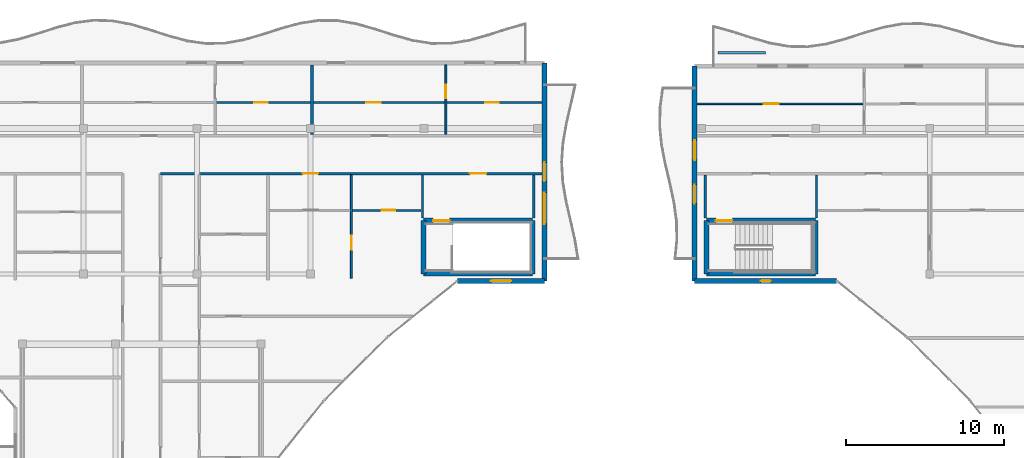
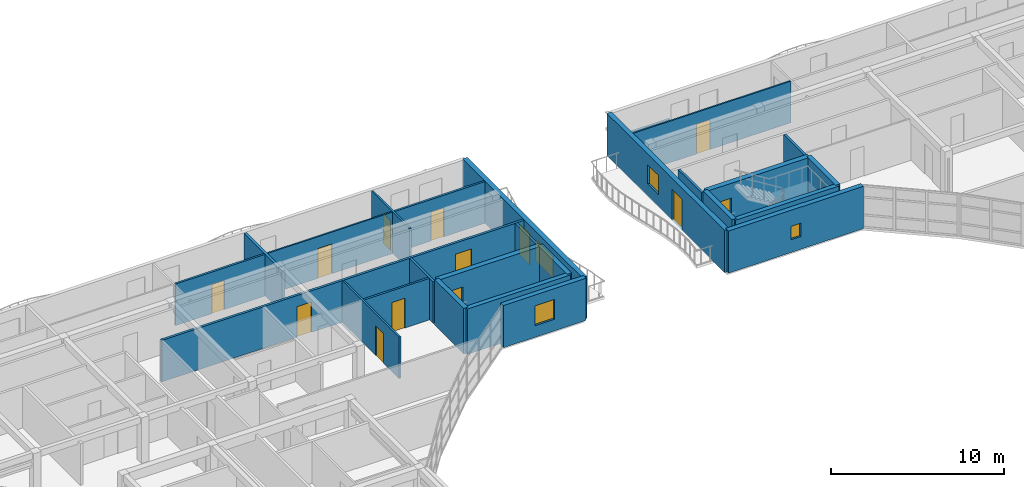
# One storey, part 18 of 30: 26 walls, 13 doors, 4 windows, 17 openings.
"""IFC4 building model written with IfcOpenShell, lengths in metres."""

from ifc_helpers import new_model, si_unit, direction, frame, frame_2d, origin, place, context, subcontext, project, spatial, rectangle, extrude, material, layer, layer_set, type_object, element, fill, save


model = new_model("IFC4")

# Units and contexts
model_context = context("Model", 3, precision=1e-05, world=origin(), true_north=direction((0.0, 1.0)))
body_context = subcontext(model_context, "Body", "Model", "MODEL_VIEW")
ifc_project = project(units=[si_unit("LENGTHUNIT", "METRE"), si_unit("AREAUNIT", "SQUARE_METRE"), si_unit("VOLUMEUNIT", "CUBIC_METRE"), si_unit("PLANEANGLEUNIT", "RADIAN"), si_unit("MASSUNIT", "GRAM", prefix="KILO")], contexts=[model_context])

# Site, building, storey
site_placement = place(None, origin())
site = spatial("IfcSite", under=ifc_project, at=site_placement, CompositionType="ELEMENT")
building_placement = place(site_placement, origin())
building = spatial("IfcBuilding", under=site, at=building_placement, Name="Keldmere Railside Commons", CompositionType="ELEMENT")
storey_placement = place(building_placement, frame((0.0, 0.0, 36.159912109375)))
storey = spatial("IfcBuildingStorey", under=building, at=storey_placement, Name="L11", CompositionType="ELEMENT", Elevation=36.159912109375)

# Wall
ifc_material_1 = material(Name="Acoustic Gypsum Board Partition", Category="gypsum")
ifc_layer_1 = layer(ifc_material_1, 0.179931640625, Name="Acoustic Demising Partition 180")
ifc_layer_set_1 = layer_set([ifc_layer_1], Name="Acoustic Gypsum Board Partition")
wall_type_1 = type_object("IfcWallType", Name="Acoustic Demising Partition 180", PredefinedType="PARTITIONING", material=ifc_layer_set_1)
wall_1_placement = place(storey_placement, frame((122.780029296875, 109.280029296875, 0.0), z_axis=(0.0, 0.0, 1.0), x_axis=(0.0, 1.0, 0.0)))
element("IfcWall", 1, at=wall_1_placement, inside=storey, type_object=wall_type_1, Name="IW-1 IW-L11-1383", PredefinedType="PARTITIONING", context=body_context, shape_type="SweptSolid", body=[
    extrude(rectangle(XDim=4.39990234375, YDim=0.179931640625, at=frame_2d((2.199951171875, 0.0))), origin(), (0.0, 0.0, 1.0), 2.93505859375),
])

# Wall, opening, door
ifc_layer_2 = layer(ifc_material_1, 0.1201171875, Name="Apartment Interior Partition 120")
ifc_layer_set_2 = layer_set([ifc_layer_2], Name="Acoustic Gypsum Board Partition")
wall_type_2 = type_object("IfcWallType", Name="Apartment Interior Partition 120", PredefinedType="PARTITIONING", material=ifc_layer_set_2)
wall_2_placement = place(storey_placement, frame((131.260009765625, 109.280029296875, 0.0), z_axis=(0.0, 0.0, 1.0), x_axis=(0.0, 1.0, 0.0)))
wall_2 = element("IfcWall", 2, at=wall_2_placement, inside=storey, type_object=wall_type_2, Name="IW-4 IW-L11-1390", PredefinedType="PARTITIONING", context=body_context, shape_type="SweptSolid", body=[
    extrude(rectangle(XDim=4.39990234375, YDim=0.1201171875, at=frame_2d((2.199951171875, 0.0))), origin(), (0.0, 0.0, 1.0), 2.93505859375),
])
opening_1_placement = place(wall_2_placement, frame((2.29638671875, 0.0, 0.0)))
opening_1 = element("IfcOpeningElement", 3, at=opening_1_placement, cuts=wall_2, Name="Opening ID-04", PredefinedType="OPENING", context=body_context, shape_type="SweptSolid", body=[
    extrude(rectangle(XDim=0.860107421875, YDim=2.10009765625, at=frame_2d((0.43017578125, 1.050048828125))), frame((0.0, 0.070068359375, 0.0), z_axis=(0.0, -1.0, 0.0), x_axis=(1.0, 0.0, 0.0)), (0.0, 0.0, 1.0), 0.14013671875),
])
ifc_material_2 = material(Name="Engineered Oak Timber", Category="wood")
door_type_1 = type_object("IfcDoorType", Name="Apartment Bathroom Door 860x2100", OperationType="NOTDEFINED", PredefinedType="DOOR", material=ifc_material_2)
door_1_placement = place(opening_1_placement, origin())
door_1 = element("IfcDoor", 4, at=door_1_placement, inside=storey, type_object=door_type_1, Name="ID-04 IDR-L11-1245", OperationType="SINGLE_SWING_LEFT", OverallHeight=2.10009765625, OverallWidth=0.860107421875, PredefinedType="DOOR", context=body_context, shape_type="SweptSolid", body=[
    extrude(rectangle(XDim=0.860107421875, YDim=2.10009765625, at=frame_2d((0.43017578125, 1.050048828125))), frame((0.0, 0.02490234375, 0.0), z_axis=(0.0, -1.0, 0.0), x_axis=(1.0, 0.0, 0.0)), (0.0, 0.0, 1.0), 0.050048828125),
])
fill(opening_1, door_1)

wall_3_placement = place(storey_placement, frame((125.280029296875, 100.159912109375, 0.0), z_axis=(0.0, 0.0, 1.0), x_axis=(0.0, 1.0, 0.0)))
wall_3 = element("IfcWall", 5, at=wall_3_placement, inside=storey, type_object=wall_type_2, Name="IW-4 IW-L11-1393", PredefinedType="PARTITIONING", context=body_context, shape_type="SweptSolid", body=[
    extrude(rectangle(XDim=6.56005859375, YDim=0.1201171875, at=frame_2d((3.280029296875, 0.0))), origin(), (0.0, 0.0, 1.0), 2.93505859375),
])
opening_2_placement = place(wall_3_placement, frame((1.810302734375, 0.0, 0.0)))
opening_2 = element("IfcOpeningElement", 6, at=opening_2_placement, cuts=wall_3, Name="Opening ID-02", PredefinedType="OPENING", context=body_context, shape_type="SweptSolid", body=[
    extrude(rectangle(XDim=0.8798828125, YDim=2.10009765625, at=frame_2d((0.43994140625, 1.050048828125))), frame((0.0, 0.070068359375, 0.0), z_axis=(0.0, -1.0, 0.0), x_axis=(1.0, 0.0, 0.0)), (0.0, 0.0, 1.0), 0.14013671875),
])
door_type_2 = type_object("IfcDoorType", Name="Secondary Bedroom Door 880x2100", OperationType="NOTDEFINED", PredefinedType="DOOR", material=ifc_material_2)
door_2_placement = place(opening_2_placement, origin())
door_2 = element("IfcDoor", 7, at=door_2_placement, inside=storey, type_object=door_type_2, Name="ID-02 IDR-L11-1249", OperationType="SINGLE_SWING_LEFT", OverallHeight=2.10009765625, OverallWidth=0.8798828125, PredefinedType="DOOR", context=body_context, shape_type="SweptSolid", body=[
    extrude(rectangle(XDim=0.8798828125, YDim=2.10009765625, at=frame_2d((0.43994140625, 1.050048828125))), frame((0.0, 0.02490234375, 0.0), z_axis=(0.0, -1.0, 0.0), x_axis=(1.0, 0.0, 0.0)), (0.0, 0.0, 1.0), 0.050048828125),
])
fill(opening_2, door_2)

# Wall
ifc_material_3 = material(Name="White Precast Concrete H-35 (C35/45)", Category="concrete")
ifc_layer_3 = layer(ifc_material_3, 0.169921875, Name="Balcony Planter Kerb Wall 170")
ifc_layer_set_3 = layer_set([ifc_layer_3], Name="White Precast Concrete H-35 (C35/45)")
wall_type_3 = type_object("IfcWallType", Name="Balcony Planter Kerb Wall 170", PredefinedType="PARAPET", material=ifc_layer_set_3)
wall_4_placement = place(storey_placement, frame((148.5, 114.449951171875, 0.0), z_axis=(0.0, 0.0, 1.0), x_axis=(1.0, 0.0, 0.0)))
element("IfcWall", 8, at=wall_4_placement, inside=storey, type_object=wall_type_3, Name="PW-2 PKBA-L11-0957", PredefinedType="PARAPET", context=body_context, shape_type="SweptSolid", body=[
    extrude(rectangle(XDim=3.0, YDim=0.169921875, at=frame_2d((1.5, 0.0))), origin(), (0.0, 0.0, 1.0), 0.4501953125),
])

# Wall, opening, door
ifc_layer_4 = layer(ifc_material_1, 0.10009765625, Name="Closet Light Partition 100")
ifc_layer_set_4 = layer_set([ifc_layer_4], Name="Acoustic Gypsum Board Partition")
wall_type_4 = type_object("IfcWallType", Name="Closet Light Partition 100", PredefinedType="PARTITIONING", material=ifc_layer_set_4)
wall_5_placement = place(storey_placement, frame((122.8701171875, 111.300048828125, 0.0), z_axis=(0.0, 0.0, 1.0), x_axis=(1.0, 0.0, 0.0)))
wall_5 = element("IfcWall", 9, at=wall_5_placement, inside=storey, type_object=wall_type_4, Name="IW-6 IW-L11-1392", PredefinedType="PARTITIONING", context=body_context, shape_type="SweptSolid", body=[
    extrude(rectangle(XDim=8.329833984375, YDim=0.10009765625, at=frame_2d((4.1650390625, 0.0))), origin(), (0.0, 0.0, 1.0), 2.93505859375),
])
opening_3_placement = place(wall_5_placement, frame((3.35595703125, 0.0, 0.0)))
opening_3 = element("IfcOpeningElement", 10, at=opening_3_placement, cuts=wall_5, Name="Opening ID-03", PredefinedType="OPENING", context=body_context, shape_type="SweptSolid", body=[
    extrude(rectangle(XDim=0.919921875, YDim=2.10009765625, at=frame_2d((0.4599609375, 1.050048828125))), frame((0.0, 0.06005859375, 0.0), z_axis=(0.0, -1.0, 0.0), x_axis=(1.0, 0.0, 0.0)), (0.0, 0.0, 1.0), 0.1201171875),
])
door_type_3 = type_object("IfcDoorType", Name="Kitchen Pocket-Frame Swing Door 920x2100", OperationType="NOTDEFINED", PredefinedType="DOOR", material=ifc_material_2)
door_3_placement = place(opening_3_placement, origin())
door_3 = element("IfcDoor", 11, at=door_3_placement, inside=storey, type_object=door_type_3, Name="ID-03 IDR-L11-1244", OperationType="SINGLE_SWING_RIGHT", OverallHeight=2.10009765625, OverallWidth=0.919921875, PredefinedType="DOOR", context=body_context, shape_type="SweptSolid", body=[
    extrude(rectangle(XDim=0.919921875, YDim=2.10009765625, at=frame_2d((0.4599609375, 1.050048828125))), frame((0.0, 0.02490234375, 0.0), z_axis=(0.0, -1.0, 0.0), x_axis=(1.0, 0.0, 0.0)), (0.0, 0.0, 1.0), 0.050048828125),
])
fill(opening_3, door_3)

wall_6_placement = place(storey_placement, frame((147.159912109375, 111.2099609375, 0.0), z_axis=(0.0, 0.0, 1.0), x_axis=(1.0, 0.0, 0.0)))
wall_6 = element("IfcWall", 12, at=wall_6_placement, inside=storey, type_object=wall_type_4, Name="IW-6 IW-L11-1880", PredefinedType="PARTITIONING", context=body_context, shape_type="SweptSolid", body=[
    extrude(rectangle(XDim=10.530029296875, YDim=0.10009765625, at=frame_2d((5.26513671875, 0.0))), origin(), (0.0, 0.0, 1.0), 2.93505859375),
])
opening_4_placement = place(wall_6_placement, frame((4.236083984375, 0.0, 0.0)))
opening_4 = element("IfcOpeningElement", 13, at=opening_4_placement, cuts=wall_6, Name="Opening ID-03", PredefinedType="OPENING", context=body_context, shape_type="SweptSolid", body=[
    extrude(rectangle(XDim=0.919921875, YDim=2.10009765625, at=frame_2d((0.4599609375, 1.050048828125))), frame((0.0, 0.06005859375, 0.0), z_axis=(0.0, -1.0, 0.0), x_axis=(1.0, 0.0, 0.0)), (0.0, 0.0, 1.0), 0.1201171875),
])
door_4_placement = place(opening_4_placement, origin())
door_4 = element("IfcDoor", 14, at=door_4_placement, inside=storey, type_object=door_type_3, Name="ID-03 IDR-L11-1719", OperationType="SINGLE_SWING_LEFT", OverallHeight=2.10009765625, OverallWidth=0.919921875, PredefinedType="DOOR", context=body_context, shape_type="SweptSolid", body=[
    extrude(rectangle(XDim=0.919921875, YDim=2.10009765625, at=frame_2d((0.4599609375, 1.050048828125))), frame((0.0, 0.02490234375, 0.0), z_axis=(0.0, -1.0, 0.0), x_axis=(1.0, 0.0, 0.0)), (0.0, 0.0, 1.0), 0.050048828125),
])
fill(opening_4, door_4)

# Wall, openings, doors
ifc_layer_5 = layer(ifc_material_1, 0.159912109375, Name="Corridor Fire Partition 160")
ifc_layer_set_5 = layer_set([ifc_layer_5], Name="Acoustic Gypsum Board Partition")
wall_type_5 = type_object("IfcWallType", Name="Corridor Fire Partition 160", PredefinedType="PARTITIONING", material=ifc_layer_set_5)
wall_7_placement = place(storey_placement, frame((113.199951171875, 106.800048828125, 0.0), z_axis=(0.0, 0.0, 1.0), x_axis=(1.0, 0.0, 0.0)))
wall_7 = element("IfcWall", 15, at=wall_7_placement, inside=storey, type_object=wall_type_5, Name="IW-2 IW-L11-1360", PredefinedType="PARTITIONING", context=body_context, shape_type="SweptSolid", body=[
    extrude(rectangle(XDim=24.14013671875, YDim=0.159912109375, at=frame_2d((12.070068359375, 0.0))), origin(), (0.0, 0.0, 1.0), 2.93505859375),
])
opening_5_placement = place(wall_7_placement, frame((19.574951171875, 0.0, 0.0)))
opening_5 = element("IfcOpeningElement", 16, at=opening_5_placement, cuts=wall_7, Name="Opening FD-1", PredefinedType="OPENING", context=body_context, shape_type="SweptSolid", body=[
    extrude(rectangle(XDim=1.050048828125, YDim=2.14990234375, at=frame_2d((0.52490234375, 1.074951171875))), frame((0.0, 0.08984375, 0.0), z_axis=(0.0, -1.0, 0.0), x_axis=(1.0, 0.0, 0.0)), (0.0, 0.0, 1.0), 0.179931640625),
])
opening_6_placement = place(wall_7_placement, frame((8.9951171875, 0.0, 0.0)))
opening_6 = element("IfcOpeningElement", 17, at=opening_6_placement, cuts=wall_7, Name="Opening FD-7", PredefinedType="OPENING", context=body_context, shape_type="SweptSolid", body=[
    extrude(rectangle(XDim=0.97998046875, YDim=2.14990234375, at=frame_2d((0.489990234375, 1.074951171875))), frame((0.0, 0.08984375, 0.0), z_axis=(0.0, -1.0, 0.0), x_axis=(1.0, 0.0, 0.0)), (0.0, 0.0, 1.0), 0.179931640625),
])
door_type_4 = type_object("IfcDoorType", Name="Apartment Entrance Acoustic Fire Door 980x2150", OperationType="NOTDEFINED", PredefinedType="DOOR", material=ifc_material_2)
door_5_placement = place(opening_6_placement, origin())
door_5 = element("IfcDoor", 18, at=door_5_placement, inside=storey, type_object=door_type_4, Name="FD-7 IDR-L11-1247", OperationType="SINGLE_SWING_LEFT", OverallHeight=2.14990234375, OverallWidth=0.97998046875, PredefinedType="DOOR", context=body_context, shape_type="SweptSolid", body=[
    extrude(rectangle(XDim=0.97998046875, YDim=2.14990234375, at=frame_2d((0.489990234375, 1.074951171875))), frame((0.0, 0.02490234375, 0.0), z_axis=(0.0, -1.0, 0.0), x_axis=(1.0, 0.0, 0.0)), (0.0, 0.0, 1.0), 0.050048828125),
])
fill(opening_6, door_5)
ifc_material_4 = material(Name="Steel F-24 (S235)", Category="steel")
door_type_5 = type_object("IfcDoorType", Name="Stair Core Fire Door 1050x2150", OperationType="NOTDEFINED", PredefinedType="DOOR", material=ifc_material_4)
door_6_placement = place(opening_5_placement, origin())
door_6 = element("IfcDoor", 19, at=door_6_placement, inside=storey, type_object=door_type_5, Name="FD-1 IDR-L11-1215", OperationType="SINGLE_SWING_LEFT", OverallHeight=2.14990234375, OverallWidth=1.050048828125, PredefinedType="DOOR", context=body_context, shape_type="SweptSolid", body=[
    extrude(rectangle(XDim=1.050048828125, YDim=2.14990234375, at=frame_2d((0.52490234375, 1.074951171875))), frame((0.0, 0.02490234375, 0.0), z_axis=(0.0, -1.0, 0.0), x_axis=(1.0, 0.0, 0.0)), (0.0, 0.0, 1.0), 0.050048828125),
])
fill(opening_5, door_6)

# Wall, opening, window
ifc_material_5 = material(Name="Concrete H-35 (C35/45)", Category="concrete")
ifc_layer_6 = layer(ifc_material_5, 0.320068359375, Name="Exterior Shear Wall 320")
ifc_layer_set_6 = layer_set([ifc_layer_6], Name="Concrete H-35 (C35/45)")
wall_type_6 = type_object("IfcWallType", Name="Exterior Shear Wall 320", PredefinedType="SHEAR", material=ifc_layer_set_6)
wall_8_placement = place(storey_placement, frame((137.5, 100.0, 0.0), z_axis=(0.0, 0.0, 1.0), x_axis=(-1.0, 0.0, 0.0)))
wall_8 = element("IfcWall", 20, at=wall_8_placement, inside=storey, type_object=wall_type_6, Name="ESW-2 EXTB-L11-0675", PredefinedType="SHEAR", context=body_context, shape_type="SweptSolid", body=[
    extrude(rectangle(XDim=5.5, YDim=0.320068359375, at=frame_2d((2.75, 0.0))), origin(), (0.0, 0.0, 1.0), 2.97998046875),
])
opening_7_placement = place(wall_8_placement, frame((2.10009765625, 0.0, 0.820068359375)))
opening_7 = element("IfcOpeningElement", 21, at=opening_7_placement, cuts=wall_8, Name="Opening WN-10", PredefinedType="OPENING", context=body_context, shape_type="SweptSolid", body=[
    extrude(rectangle(XDim=1.300048828125, YDim=1.39990234375, at=frame_2d((0.64990234375, 0.699951171875))), frame((0.0, 0.169921875, 0.0), z_axis=(0.0, -1.0, 0.0), x_axis=(1.0, 0.0, 0.0)), (0.0, 0.0, 1.0), 0.340087890625),
])
ifc_material_6 = material(Name="Low-E Insulated Double Glazing", Category="glass")
window_type_1 = type_object("IfcWindowType", Name="Secondary Bedroom Court Window 1300x1400", PartitioningType="SINGLE_PANEL", PredefinedType="WINDOW", material=ifc_material_6)
window_1_placement = place(opening_7_placement, origin())
window_1 = element("IfcWindow", 22, at=window_1_placement, inside=storey, type_object=window_type_1, Name="WN-10 WIN-L11-0544", OverallHeight=1.39990234375, OverallWidth=1.300048828125, PartitioningType="SINGLE_PANEL", PredefinedType="WINDOW", context=body_context, shape_type="SweptSolid", body=[
    extrude(rectangle(XDim=1.300048828125, YDim=1.39990234375, at=frame_2d((0.64990234375, 0.699951171875))), frame((0.0, 0.030029296875, 0.0), z_axis=(0.0, -1.0, 0.0), x_axis=(1.0, 0.0, 0.0)), (0.0, 0.0, 1.0), 0.06005859375),
])
fill(opening_7, window_1)

# Wall, openings, door, window
wall_9_placement = place(storey_placement, frame((137.5, 113.800048828125, 0.0), z_axis=(0.0, 0.0, 1.0), x_axis=(0.0, -1.0, 0.0)))
wall_9 = element("IfcWall", 23, at=wall_9_placement, inside=storey, type_object=wall_type_6, Name="ESW-2 EXTB-L11-0676", PredefinedType="SHEAR", context=body_context, shape_type="SweptSolid", body=[
    extrude(rectangle(XDim=13.800048828125, YDim=0.320068359375, at=frame_2d((6.89990234375, 0.0))), origin(), (0.0, 0.0, 1.0), 2.97998046875),
])
opening_8_placement = place(wall_9_placement, frame((6.300048828125, 0.0, 0.0)))
opening_8 = element("IfcOpeningElement", 24, at=opening_8_placement, cuts=wall_9, Name="Opening BD-01", PredefinedType="OPENING", context=body_context, shape_type="SweptSolid", body=[
    extrude(rectangle(XDim=1.199951171875, YDim=2.199951171875, at=frame_2d((0.60009765625, 1.10009765625))), frame((0.0, 0.169921875, 0.0), z_axis=(0.0, -1.0, 0.0), x_axis=(1.0, 0.0, 0.0)), (0.0, 0.0, 1.0), 0.340087890625),
])
opening_9_placement = place(wall_9_placement, frame((8.199951171875, 0.0, 0.719970703125)))
opening_9 = element("IfcOpeningElement", 25, at=opening_9_placement, cuts=wall_9, Name="Opening WN-02", PredefinedType="OPENING", context=body_context, shape_type="SweptSolid", body=[
    extrude(rectangle(XDim=2.0, YDim=1.5, at=frame_2d((1.0, 0.75))), frame((0.0, 0.169921875, 0.0), z_axis=(0.0, -1.0, 0.0), x_axis=(1.0, 0.0, 0.0)), (0.0, 0.0, 1.0), 0.340087890625),
])
ifc_material_7 = material(Name="Thermally Broken Aluminium", Category="aluminium")
door_type_6 = type_object("IfcDoorType", Name="Apartment Living Wave-Balcony Glazed Door 1200x2200", OperationType="NOTDEFINED", PredefinedType="DOOR", material=ifc_material_7)
door_7_placement = place(opening_8_placement, origin())
door_7 = element("IfcDoor", 26, at=door_7_placement, inside=storey, type_object=door_type_6, Name="BD-01 DR-L11-0208", OperationType="SINGLE_SWING_RIGHT", OverallHeight=2.199951171875, OverallWidth=1.199951171875, PredefinedType="DOOR", context=body_context, shape_type="SweptSolid", body=[
    extrude(rectangle(XDim=1.199951171875, YDim=2.199951171875, at=frame_2d((0.60009765625, 1.10009765625))), frame((0.0, 0.02490234375, 0.0), z_axis=(0.0, -1.0, 0.0), x_axis=(1.0, 0.0, 0.0)), (0.0, 0.0, 1.0), 0.050048828125),
])
fill(opening_8, door_7)
window_type_2 = type_object("IfcWindowType", Name="Living Room South Casement Window 2000x1500", PartitioningType="SINGLE_PANEL", PredefinedType="WINDOW", material=ifc_material_6)
window_2_placement = place(opening_9_placement, origin())
window_2 = element("IfcWindow", 27, at=window_2_placement, inside=storey, type_object=window_type_2, Name="WN-02 WIN-L11-0545", OverallHeight=1.5, OverallWidth=2.0, PartitioningType="SINGLE_PANEL", PredefinedType="WINDOW", context=body_context, shape_type="SweptSolid", body=[
    extrude(rectangle(XDim=2.0, YDim=1.5, at=frame_2d((1.0, 0.75))), frame((0.0, 0.030029296875, 0.0), z_axis=(0.0, -1.0, 0.0), x_axis=(1.0, 0.0, 0.0)), (0.0, 0.0, 1.0), 0.06005859375),
])
fill(opening_9, window_2)

wall_10_placement = place(storey_placement, frame((147.0, 100.0, 0.0), z_axis=(0.0, 0.0, 1.0), x_axis=(0.0, 1.0, 0.0)))
wall_10 = element("IfcWall", 28, at=wall_10_placement, inside=storey, type_object=wall_type_6, Name="ESW-2 EXTA-L11-0954", PredefinedType="SHEAR", context=body_context, shape_type="SweptSolid", body=[
    extrude(rectangle(XDim=13.60009765625, YDim=0.320068359375, at=frame_2d((6.800048828125, 0.0))), origin(), (0.0, 0.0, 1.0), 2.97998046875),
])
opening_10_placement = place(wall_10_placement, frame((4.89990234375, 0.0, 0.0)))
opening_10 = element("IfcOpeningElement", 29, at=opening_10_placement, cuts=wall_10, Name="Opening BD-01", PredefinedType="OPENING", context=body_context, shape_type="SweptSolid", body=[
    extrude(rectangle(XDim=1.199951171875, YDim=2.199951171875, at=frame_2d((0.60009765625, 1.10009765625))), frame((0.0, 0.169921875, 0.0), z_axis=(0.0, -1.0, 0.0), x_axis=(1.0, 0.0, 0.0)), (0.0, 0.0, 1.0), 0.340087890625),
])
opening_11_placement = place(wall_10_placement, frame((7.64990234375, 0.0, 0.8701171875)))
opening_11 = element("IfcOpeningElement", 30, at=opening_11_placement, cuts=wall_10, Name="Opening WN-09", PredefinedType="OPENING", context=body_context, shape_type="SweptSolid", body=[
    extrude(rectangle(XDim=1.25, YDim=1.35009765625, at=frame_2d((0.625, 0.675048828125))), frame((0.0, 0.169921875, 0.0), z_axis=(0.0, -1.0, 0.0), x_axis=(1.0, 0.0, 0.0)), (0.0, 0.0, 1.0), 0.340087890625),
])
door_8_placement = place(opening_10_placement, origin())
door_8 = element("IfcDoor", 31, at=door_8_placement, inside=storey, type_object=door_type_6, Name="BD-01 DR-L11-0283", OperationType="SINGLE_SWING_LEFT", OverallHeight=2.199951171875, OverallWidth=1.199951171875, PredefinedType="DOOR", context=body_context, shape_type="SweptSolid", body=[
    extrude(rectangle(XDim=1.199951171875, YDim=2.199951171875, at=frame_2d((0.60009765625, 1.10009765625))), frame((0.0, 0.02490234375, 0.0), z_axis=(0.0, -1.0, 0.0), x_axis=(1.0, 0.0, 0.0)), (0.0, 0.0, 1.0), 0.050048828125),
])
fill(opening_10, door_8)
window_type_3 = type_object("IfcWindowType", Name="Secondary Bedroom Window 1250x1350", PartitioningType="SINGLE_PANEL", PredefinedType="WINDOW", material=ifc_material_6)
window_3_placement = place(opening_11_placement, origin())
window_3 = element("IfcWindow", 32, at=window_3_placement, inside=storey, type_object=window_type_3, Name="WN-09 WIN-L11-0782", OverallHeight=1.35009765625, OverallWidth=1.25, PartitioningType="SINGLE_PANEL", PredefinedType="WINDOW", context=body_context, shape_type="SweptSolid", body=[
    extrude(rectangle(XDim=1.25, YDim=1.35009765625, at=frame_2d((0.625, 0.675048828125))), frame((0.0, 0.030029296875, 0.0), z_axis=(0.0, -1.0, 0.0), x_axis=(1.0, 0.0, 0.0)), (0.0, 0.0, 1.0), 0.06005859375),
])
fill(opening_11, window_3)

# Wall, opening, window
wall_11_placement = place(storey_placement, frame((156.0, 100.0, 0.0), z_axis=(0.0, 0.0, 1.0), x_axis=(-1.0, 0.0, 0.0)))
wall_11 = element("IfcWall", 33, at=wall_11_placement, inside=storey, type_object=wall_type_6, Name="ESW-2 EXTA-L11-0955", PredefinedType="SHEAR", context=body_context, shape_type="SweptSolid", body=[
    extrude(rectangle(XDim=9.0, YDim=0.320068359375, at=frame_2d((4.5, 0.0))), origin(), (0.0, 0.0, 1.0), 2.97998046875),
])
opening_12_placement = place(wall_11_placement, frame((4.175048828125, 0.0, 0.89990234375)))
opening_12 = element("IfcOpeningElement", 34, at=opening_12_placement, cuts=wall_11, Name="Opening WN-15", PredefinedType="OPENING", context=body_context, shape_type="SweptSolid", body=[
    extrude(rectangle(XDim=0.64990234375, YDim=0.949951171875, at=frame_2d((0.324951171875, 0.47509765625))), frame((0.0, 0.169921875, 0.0), z_axis=(0.0, -1.0, 0.0), x_axis=(1.0, 0.0, 0.0)), (0.0, 0.0, 1.0), 0.340087890625),
])
window_type_4 = type_object("IfcWindowType", Name="Exterior Bathroom Frosted Window 650x950", PartitioningType="SINGLE_PANEL", PredefinedType="WINDOW", material=ifc_material_6)
window_4_placement = place(opening_12_placement, origin())
window_4 = element("IfcWindow", 35, at=window_4_placement, inside=storey, type_object=window_type_4, Name="WN-15 WIN-L11-0783", OverallHeight=0.949951171875, OverallWidth=0.64990234375, PartitioningType="SINGLE_PANEL", PredefinedType="WINDOW", context=body_context, shape_type="SweptSolid", body=[
    extrude(rectangle(XDim=0.64990234375, YDim=0.949951171875, at=frame_2d((0.324951171875, 0.47509765625))), frame((0.0, 0.030029296875, 0.0), z_axis=(0.0, -1.0, 0.0), x_axis=(1.0, 0.0, 0.0)), (0.0, 0.0, 1.0), 0.06005859375),
])
fill(opening_12, window_4)

# Walls
ifc_layer_7 = layer(ifc_material_5, 0.300048828125, Name="Interior Shear Wall 300")
ifc_layer_set_7 = layer_set([ifc_layer_7], Name="Concrete H-35 (C35/45)")
wall_type_7 = type_object("IfcWallType", Name="Interior Shear Wall 300", PredefinedType="SHEAR", material=ifc_layer_set_7)
wall_12_placement = place(storey_placement, frame((129.85009765625, 100.449951171875, 0.0), z_axis=(0.0, 0.0, 1.0), x_axis=(1.0, 0.0, 0.0)))
element("IfcWall", 36, at=wall_12_placement, inside=storey, type_object=wall_type_7, Name="ISW-2 COREB2S-L11-0572", PredefinedType="SHEAR", context=body_context, shape_type="SweptSolid", body=[
    extrude(rectangle(XDim=6.89990234375, YDim=0.300048828125, at=frame_2d((3.449951171875, 0.0))), origin(), (0.0, 0.0, 1.0), 3.2001953125),
])
for number, where, z_axis, x_axis, name in (
    (37, (129.85009765625, 103.820068359375, 0.0), (0.0, 0.0, 1.0), (0.0, -1.0, 0.0), "ISW-2 COREB2W-L11-0574"),
    (38, (136.75, 100.449951171875, 0.0), (0.0, 0.0, 1.0), (0.0, 1.0, 0.0), "ISW-2 COREB2E-L11-0575"),
):
    element("IfcWall", number, at=place(storey_placement, frame(where, z_axis=z_axis, x_axis=x_axis)), inside=storey, type_object=wall_type_7, Name=name, PredefinedType="SHEAR", context=body_context, shape_type="SweptSolid", body=[
        extrude(rectangle(XDim=3.3701171875, YDim=0.300048828125, at=frame_2d((1.68505859375, 0.0))), origin(), (0.0, 0.0, 1.0), 3.2001953125),
    ])
wall_13_placement = place(storey_placement, frame((147.75, 100.449951171875, 0.0), z_axis=(0.0, 0.0, 1.0), x_axis=(1.0, 0.0, 0.0)))
element("IfcWall", 39, at=wall_13_placement, inside=storey, type_object=wall_type_7, Name="ISW-2 COREA2S-L11-0848", PredefinedType="SHEAR", context=body_context, shape_type="SweptSolid", body=[
    extrude(rectangle(XDim=6.89990234375, YDim=0.300048828125, at=frame_2d((3.449951171875, 0.0))), origin(), (0.0, 0.0, 1.0), 3.2001953125),
])
for number, where, z_axis, x_axis, name in (
    (40, (147.75, 103.820068359375, 0.0), (0.0, 0.0, 1.0), (0.0, -1.0, 0.0), "ISW-2 COREA2W-L11-0850"),
    (41, (154.64990234375, 100.449951171875, 0.0), (0.0, 0.0, 1.0), (0.0, 1.0, 0.0), "ISW-2 COREA2E-L11-0851"),
):
    element("IfcWall", number, at=place(storey_placement, frame(where, z_axis=z_axis, x_axis=x_axis)), inside=storey, type_object=wall_type_7, Name=name, PredefinedType="SHEAR", context=body_context, shape_type="SweptSolid", body=[
        extrude(rectangle(XDim=3.3701171875, YDim=0.300048828125, at=frame_2d((1.68505859375, 0.0))), origin(), (0.0, 0.0, 1.0), 3.2001953125),
    ])

# Wall, opening, door
ifc_layer_8 = layer(ifc_material_5, 0.340087890625, Name="Interior Shear Wall 340")
ifc_layer_set_8 = layer_set([ifc_layer_8], Name="Concrete H-35 (C35/45)")
wall_type_8 = type_object("IfcWallType", Name="Interior Shear Wall 340", PredefinedType="SHEAR", material=ifc_layer_set_8)
wall_14_placement = place(storey_placement, frame((136.75, 103.820068359375, 0.0), z_axis=(0.0, 0.0, 1.0), x_axis=(-1.0, 0.0, 0.0)))
wall_14 = element("IfcWall", 42, at=wall_14_placement, inside=storey, type_object=wall_type_8, Name="ISW-1 COREB2N-L11-0573", PredefinedType="SHEAR", context=body_context, shape_type="SweptSolid", body=[
    extrude(rectangle(XDim=6.89990234375, YDim=0.340087890625, at=frame_2d((3.449951171875, 0.0))), origin(), (0.0, 0.0, 1.0), 3.2001953125),
])
opening_13_placement = place(wall_14_placement, frame((5.25, 0.0, 0.0)))
opening_13 = element("IfcOpeningElement", 43, at=opening_13_placement, cuts=wall_14, Name="Opening FD-1", PredefinedType="OPENING", context=body_context, shape_type="SweptSolid", body=[
    extrude(rectangle(XDim=1.050048828125, YDim=2.14990234375, at=frame_2d((0.52490234375, 1.074951171875))), frame((0.0, 0.179931640625, 0.0), z_axis=(0.0, -1.0, 0.0), x_axis=(1.0, 0.0, 0.0)), (0.0, 0.0, 1.0), 0.360107421875),
])
door_9_placement = place(opening_13_placement, origin())
door_9 = element("IfcDoor", 44, at=door_9_placement, inside=storey, type_object=door_type_5, Name="FD-1 B2 L11", OperationType="SINGLE_SWING_RIGHT", OverallHeight=2.14990234375, OverallWidth=1.050048828125, PredefinedType="DOOR", context=body_context, shape_type="SweptSolid", body=[
    extrude(rectangle(XDim=1.050048828125, YDim=2.14990234375, at=frame_2d((0.52490234375, 1.074951171875))), frame((0.0, 0.02490234375, 0.0), z_axis=(0.0, -1.0, 0.0), x_axis=(1.0, 0.0, 0.0)), (0.0, 0.0, 1.0), 0.050048828125),
])
fill(opening_13, door_9)

wall_15_placement = place(storey_placement, frame((154.64990234375, 103.820068359375, 0.0), z_axis=(0.0, 0.0, 1.0), x_axis=(-1.0, 0.0, 0.0)))
wall_15 = element("IfcWall", 45, at=wall_15_placement, inside=storey, type_object=wall_type_8, Name="ISW-1 COREA2N-L11-0849", PredefinedType="SHEAR", context=body_context, shape_type="SweptSolid", body=[
    extrude(rectangle(XDim=6.89990234375, YDim=0.340087890625, at=frame_2d((3.449951171875, 0.0))), origin(), (0.0, 0.0, 1.0), 3.2001953125),
])
opening_14_placement = place(wall_15_placement, frame((5.25, 0.0, 0.0)))
opening_14 = element("IfcOpeningElement", 46, at=opening_14_placement, cuts=wall_15, Name="Opening FD-1", PredefinedType="OPENING", context=body_context, shape_type="SweptSolid", body=[
    extrude(rectangle(XDim=1.050048828125, YDim=2.14990234375, at=frame_2d((0.52490234375, 1.074951171875))), frame((0.0, 0.179931640625, 0.0), z_axis=(0.0, -1.0, 0.0), x_axis=(1.0, 0.0, 0.0)), (0.0, 0.0, 1.0), 0.360107421875),
])
door_10_placement = place(opening_14_placement, origin())
door_10 = element("IfcDoor", 47, at=door_10_placement, inside=storey, type_object=door_type_5, Name="FD-1 A2 L11", OperationType="SINGLE_SWING_RIGHT", OverallHeight=2.14990234375, OverallWidth=1.050048828125, PredefinedType="DOOR", context=body_context, shape_type="SweptSolid", body=[
    extrude(rectangle(XDim=1.050048828125, YDim=2.14990234375, at=frame_2d((0.52490234375, 1.074951171875))), frame((0.0, 0.02490234375, 0.0), z_axis=(0.0, -1.0, 0.0), x_axis=(1.0, 0.0, 0.0)), (0.0, 0.0, 1.0), 0.050048828125),
])
fill(opening_14, door_10)

# Walls
ifc_layer_9 = layer(ifc_material_1, 0.14990234375, Name="Lobby Rated Partition 150")
ifc_layer_set_9 = layer_set([ifc_layer_9], Name="Acoustic Gypsum Board Partition")
wall_type_9 = type_object("IfcWallType", Name="Lobby Rated Partition 150", PredefinedType="PARTITIONING", material=ifc_layer_set_9)
for number, where, z_axis, x_axis, name in (
    (48, (129.780029296875, 103.989990234375, 0.0), (0.0, 0.0, 1.0), (0.0, 1.0, 0.0), "IW-3 IW-L11-1364"),
    (49, (136.820068359375, 103.989990234375, 0.0), (0.0, 0.0, 1.0), (0.0, 1.0, 0.0), "IW-3 IW-L11-1365"),
    (50, (147.679931640625, 103.989990234375, 0.0), (0.0, 0.0, 1.0), (0.0, 1.0, 0.0), "IW-3 IW-L11-1859"),
    (51, (154.719970703125, 103.989990234375, 0.0), (0.0, 0.0, 1.0), (0.0, 1.0, 0.0), "IW-3 IW-L11-1860"),
):
    element("IfcWall", number, at=place(storey_placement, frame(where, z_axis=z_axis, x_axis=x_axis)), inside=storey, type_object=wall_type_9, Name=name, PredefinedType="PARTITIONING", context=body_context, shape_type="SweptSolid", body=[
        extrude(rectangle(XDim=2.72998046875, YDim=0.14990234375, at=frame_2d((1.364990234375, 0.0))), origin(), (0.0, 0.0, 1.0), 2.93505859375),
    ])

# Wall, opening, door
ifc_layer_10 = layer(ifc_material_1, 0.139892578125, Name="Wet-Room Sanitary Partition 140")
ifc_layer_set_10 = layer_set([ifc_layer_10], Name="Acoustic Gypsum Board Partition")
wall_type_10 = type_object("IfcWallType", Name="Wet-Room Sanitary Partition 140", PredefinedType="PARTITIONING", material=ifc_layer_set_10)
wall_16_placement = place(storey_placement, frame((116.7099609375, 111.300048828125, 0.0), z_axis=(0.0, 0.0, 1.0), x_axis=(1.0, 0.0, 0.0)))
wall_16 = element("IfcWall", 52, at=wall_16_placement, inside=storey, type_object=wall_type_10, Name="IW-5 IW-L11-1388", PredefinedType="PARTITIONING", context=body_context, shape_type="SweptSolid", body=[
    extrude(rectangle(XDim=5.97998046875, YDim=0.139892578125, at=frame_2d((2.989990234375, 0.0))), origin(), (0.0, 0.0, 1.0), 2.93505859375),
])
opening_15_placement = place(wall_16_placement, frame((2.416015625, 0.0, 0.0)))
opening_15 = element("IfcOpeningElement", 53, at=opening_15_placement, cuts=wall_16, Name="Opening ID-06", PredefinedType="OPENING", context=body_context, shape_type="SweptSolid", body=[
    extrude(rectangle(XDim=0.85009765625, YDim=2.050048828125, at=frame_2d((0.425048828125, 1.02490234375))), frame((0.0, 0.079833984375, 0.0), z_axis=(0.0, -1.0, 0.0), x_axis=(1.0, 0.0, 0.0)), (0.0, 0.0, 1.0), 0.159912109375),
])
door_type_7 = type_object("IfcDoorType", Name="Storage Closet Door 850x2050", OperationType="NOTDEFINED", PredefinedType="DOOR", material=ifc_material_2)
door_11_placement = place(opening_15_placement, origin())
door_11 = element("IfcDoor", 54, at=door_11_placement, inside=storey, type_object=door_type_7, Name="ID-06 IDR-L11-1242", OperationType="SINGLE_SWING_RIGHT", OverallHeight=2.050048828125, OverallWidth=0.85009765625, PredefinedType="DOOR", context=body_context, shape_type="SweptSolid", body=[
    extrude(rectangle(XDim=0.85009765625, YDim=2.050048828125, at=frame_2d((0.425048828125, 1.02490234375))), frame((0.0, 0.02490234375, 0.0), z_axis=(0.0, -1.0, 0.0), x_axis=(1.0, 0.0, 0.0)), (0.0, 0.0, 1.0), 0.050048828125),
])
fill(opening_15, door_11)

wall_17_placement = place(storey_placement, frame((131.320068359375, 111.300048828125, 0.0), z_axis=(0.0, 0.0, 1.0), x_axis=(1.0, 0.0, 0.0)))
wall_17 = element("IfcWall", 55, at=wall_17_placement, inside=storey, type_object=wall_type_10, Name="IW-5 IW-L11-1391", PredefinedType="PARTITIONING", context=body_context, shape_type="SweptSolid", body=[
    extrude(rectangle(XDim=6.02001953125, YDim=0.139892578125, at=frame_2d((3.010009765625, 0.0))), origin(), (0.0, 0.0, 1.0), 2.93505859375),
])
opening_16_placement = place(wall_17_placement, frame((2.431884765625, 0.0, 0.0)))
opening_16 = element("IfcOpeningElement", 56, at=opening_16_placement, cuts=wall_17, Name="Opening ID-06", PredefinedType="OPENING", context=body_context, shape_type="SweptSolid", body=[
    extrude(rectangle(XDim=0.85009765625, YDim=2.050048828125, at=frame_2d((0.425048828125, 1.02490234375))), frame((0.0, 0.079833984375, 0.0), z_axis=(0.0, -1.0, 0.0), x_axis=(1.0, 0.0, 0.0)), (0.0, 0.0, 1.0), 0.159912109375),
])
door_12_placement = place(opening_16_placement, origin())
door_12 = element("IfcDoor", 57, at=door_12_placement, inside=storey, type_object=door_type_7, Name="ID-06 IDR-L11-1246", OperationType="SINGLE_SWING_RIGHT", OverallHeight=2.050048828125, OverallWidth=0.85009765625, PredefinedType="DOOR", context=body_context, shape_type="SweptSolid", body=[
    extrude(rectangle(XDim=0.85009765625, YDim=2.050048828125, at=frame_2d((0.425048828125, 1.02490234375))), frame((0.0, 0.02490234375, 0.0), z_axis=(0.0, -1.0, 0.0), x_axis=(1.0, 0.0, 0.0)), (0.0, 0.0, 1.0), 0.050048828125),
])
fill(opening_16, door_12)

wall_18_placement = place(storey_placement, frame((125.340087890625, 104.469970703125, 0.0), z_axis=(0.0, 0.0, 1.0), x_axis=(1.0, 0.0, 0.0)))
wall_18 = element("IfcWall", 58, at=wall_18_placement, inside=storey, type_object=wall_type_10, Name="IW-5 IW-L11-1394", PredefinedType="PARTITIONING", context=body_context, shape_type="SweptSolid", body=[
    extrude(rectangle(XDim=4.35986328125, YDim=0.139892578125, at=frame_2d((2.179931640625, 0.0))), origin(), (0.0, 0.0, 1.0), 2.93505859375),
])
opening_17_placement = place(wall_18_placement, frame((1.8564453125, 0.0, 0.0)))
opening_17 = element("IfcOpeningElement", 59, at=opening_17_placement, cuts=wall_18, Name="Opening ID-04", PredefinedType="OPENING", context=body_context, shape_type="SweptSolid", body=[
    extrude(rectangle(XDim=0.860107421875, YDim=2.10009765625, at=frame_2d((0.43017578125, 1.050048828125))), frame((0.0, 0.079833984375, 0.0), z_axis=(0.0, -1.0, 0.0), x_axis=(1.0, 0.0, 0.0)), (0.0, 0.0, 1.0), 0.159912109375),
])
door_13_placement = place(opening_17_placement, origin())
door_13 = element("IfcDoor", 60, at=door_13_placement, inside=storey, type_object=door_type_1, Name="ID-04 IDR-L11-1250", OperationType="SINGLE_SWING_RIGHT", OverallHeight=2.10009765625, OverallWidth=0.860107421875, PredefinedType="DOOR", context=body_context, shape_type="SweptSolid", body=[
    extrude(rectangle(XDim=0.860107421875, YDim=2.10009765625, at=frame_2d((0.43017578125, 1.050048828125))), frame((0.0, 0.02490234375, 0.0), z_axis=(0.0, -1.0, 0.0), x_axis=(1.0, 0.0, 0.0)), (0.0, 0.0, 1.0), 0.050048828125),
])
fill(opening_17, door_13)

save(model, "model.ifc")
